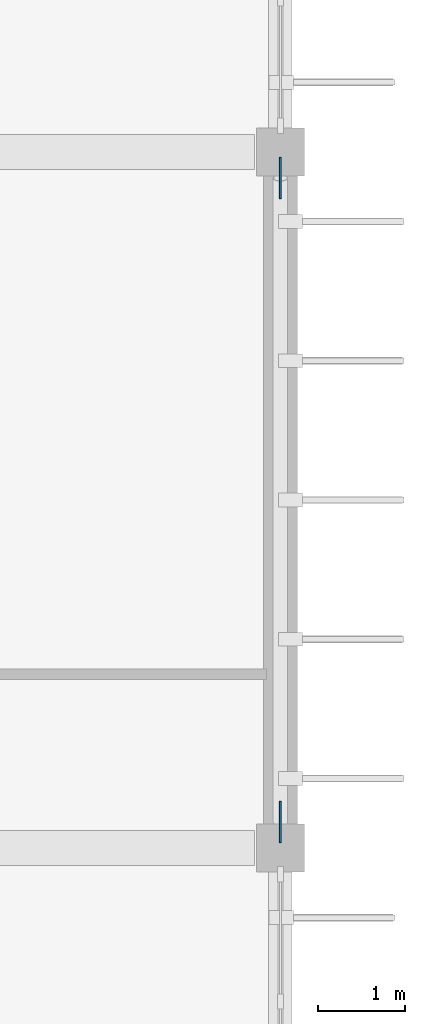
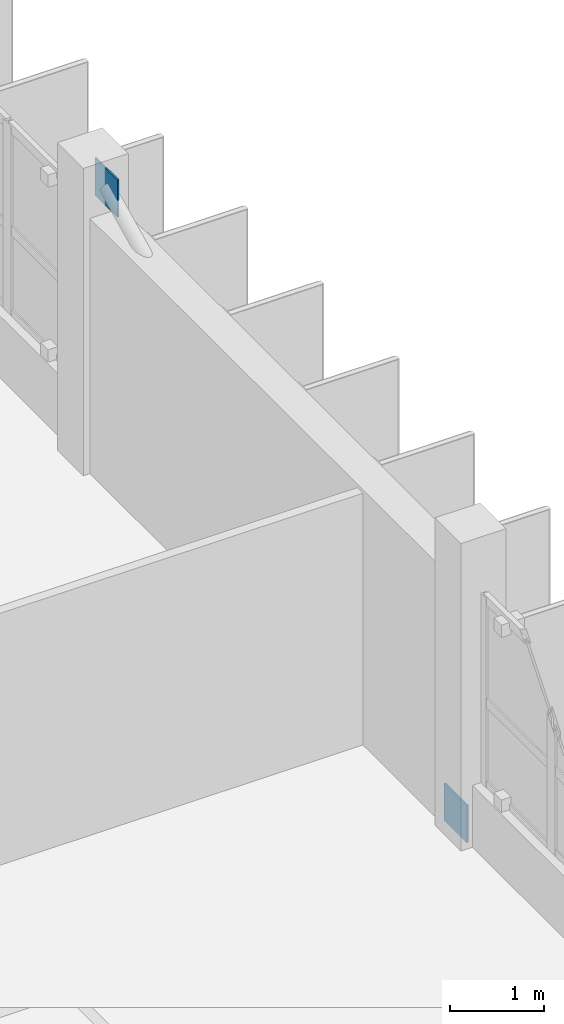
# One storey, part 25 of 38: 2 plates.
"""IFC4 building model written with IfcOpenShell, lengths in metres."""

from ifc_helpers import new_model, si_unit, direction, frame, origin, origin_2d, place, context, subcontext, project, spatial, rectangle, extrude, material, layer, layer_set, type_object, element, save


model = new_model("IFC4")

# Units and contexts
model_context = context("Model", 3, precision=1e-05, world=origin(), true_north=direction((0.0, 1.0)))
body_context = subcontext(model_context, "Body", "Model", "MODEL_VIEW")
ifc_project = project(units=[si_unit("LENGTHUNIT", "METRE"), si_unit("AREAUNIT", "SQUARE_METRE"), si_unit("VOLUMEUNIT", "CUBIC_METRE"), si_unit("PLANEANGLEUNIT", "RADIAN"), si_unit("MASSUNIT", "GRAM", prefix="KILO")], contexts=[model_context])

# Site, building, storey
site_placement = place(None, origin())
site = spatial("IfcSite", under=ifc_project, at=site_placement, CompositionType="ELEMENT")
building_placement = place(site_placement, origin())
building = spatial("IfcBuilding", under=site, at=building_placement, Name="Drelvana Railside Aquatics Centre", CompositionType="ELEMENT")
storey_placement = place(building_placement, frame((0.0, 0.0, 14.39990234375)))
storey = spatial("IfcBuildingStorey", under=building, at=storey_placement, Name="L03", CompositionType="ELEMENT", Elevation=14.39990234375)

# Plates
ifc_material = material(Name="Structural steel S355", Category="steel")
ifc_layer = layer(ifc_material, 0.02197265625, Name="Structural steel S355")
ifc_layer_set = layer_set([ifc_layer], Name="Structural steel S355")
plate_type = type_object("IfcPlateType", Name="STR-PLT-PL-04", PredefinedType="SHEET", material=ifc_layer_set)
for number, where, z_axis, x_axis, name in (
    (1, (184.0, 48.300048828125, -0.18994140625), (0.0, 0.0, 1.0), (1.0, 0.0, 0.0), "Brace gusset end plate PL-04 (L03)"),
    (2, (184.0, 55.699951171875, 3.41015625), (0.0, 0.0, 1.0), (1.0, 0.0, 0.0), "Brace gusset end plate PL-04 (L03)"),
):
    element("IfcPlate", number, at=place(storey_placement, frame(where, z_axis=z_axis, x_axis=x_axis)), inside=storey, type_object=plate_type, Name=name, PredefinedType="SHEET", context=body_context, shape_type="SweptSolid", body=[
        extrude(rectangle(XDim=0.02197265625, YDim=0.47998046875, at=origin_2d()), origin(), (0.0, 0.0, 1.0), 0.47998046875),
    ])

save(model, "model.ifc")
